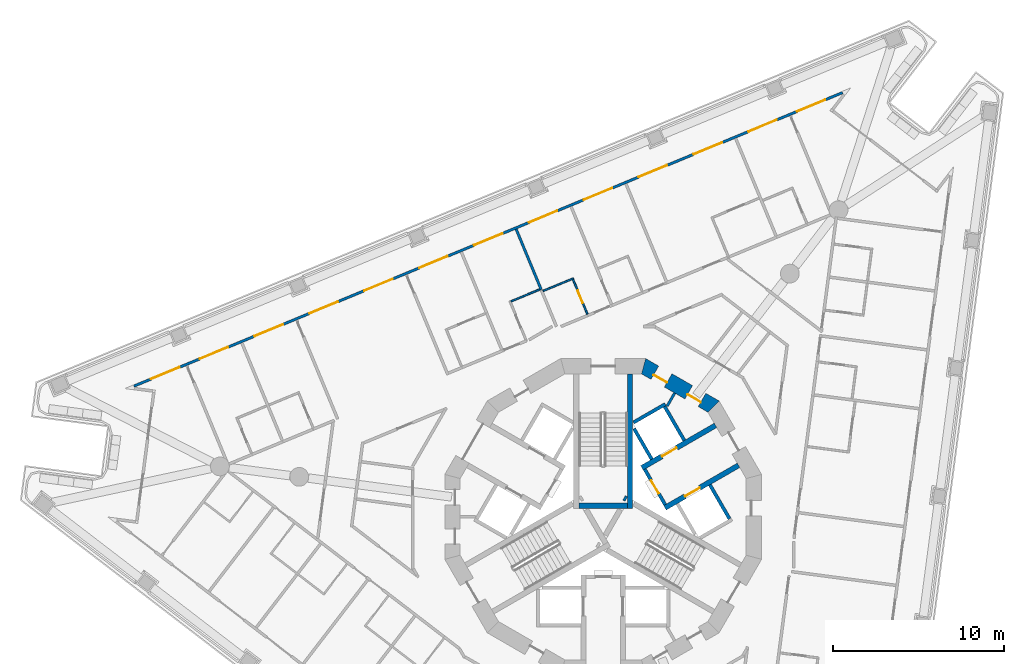
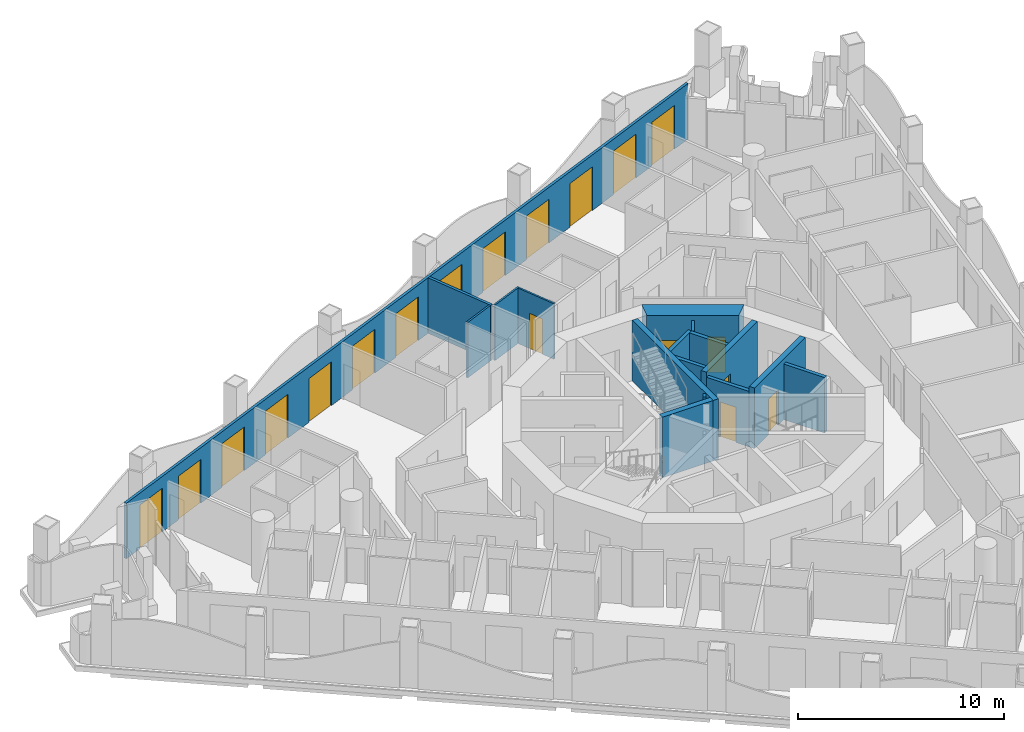
# One storey, part 8 of 18: 19 doors, 17 walls, 19 openings.
"""IFC4 building model written with IfcOpenShell, lengths in metres."""

from ifc_helpers import new_model, si_unit, direction, frame, frame_2d, origin, place, context, subcontext, project, spatial, polyline, rectangle, outline, extrude, material, layer, layer_set, type_object, element, fill, save


model = new_model("IFC4")

# Units and contexts
model_context = context("Model", 3, precision=1e-05, world=origin(), true_north=direction((0.0, 1.0)))
body_context = subcontext(model_context, "Body", "Model", "MODEL_VIEW")
ifc_project = project(units=[si_unit("LENGTHUNIT", "METRE"), si_unit("AREAUNIT", "SQUARE_METRE"), si_unit("VOLUMEUNIT", "CUBIC_METRE"), si_unit("PLANEANGLEUNIT", "RADIAN"), si_unit("MASSUNIT", "GRAM", prefix="KILO")], contexts=[model_context])

# Site, building, storey
site_placement = place(None, origin())
site = spatial("IfcSite", under=ifc_project, at=site_placement, CompositionType="ELEMENT")
building_placement = place(site_placement, origin())
building = spatial("IfcBuilding", under=site, at=building_placement, Name="Trine Commons Tower", CompositionType="ELEMENT")
storey_placement = place(building_placement, frame((0.0, 0.0, 142.199951171875)))
storey = spatial("IfcBuildingStorey", under=building, at=storey_placement, Name="L36", CompositionType="ELEMENT", Elevation=142.199951171875)

# Wall
ifc_material_1 = material(Name="Plasterboard partition on steel studs", Category="steel")
ifc_layer_1 = layer(ifc_material_1, 0.14990234375)
ifc_layer_set_1 = layer_set([ifc_layer_1], Name="Plasterboard partition on steel studs")
wall_type_1 = type_object("IfcWallType", Name="Core room partition 150 mm, EI 60", PredefinedType="PARTITIONING", material=ifc_layer_set_1)
wall_1_placement = place(storey_placement, frame((84.18603515625, 69.7509765625, 0.0), z_axis=(0.0, 0.0, 1.0), x_axis=(-0.499890179513, -0.866088799389, 0.0)))
element("IfcWall", 1, at=wall_1_placement, inside=storey, type_object=wall_type_1, Name="Core room partition L36", PredefinedType="PARTITIONING", context=body_context, shape_type="SweptSolid", body=[
    extrude(rectangle(XDim=0.882080078125, YDim=0.14990234375, at=frame_2d((0.44091796875, 0.0))), origin(), (0.0, 0.0, 1.0), 3.300048828125),
])

# Wall, openings, doors
ifc_material_2 = material(Name="Aluminium-framed insulated wall panel", Category="aluminium")
ifc_layer_2 = layer(ifc_material_2, 0.14990234375)
ifc_layer_set_2 = layer_set([ifc_layer_2], Name="Aluminium-framed insulated wall panel")
wall_type_2 = type_object("IfcWallType", Name="Glazed frame wall 150, EI 60", PredefinedType="SOLIDWALL", material=ifc_layer_set_2)
wall_2_placement = place(storey_placement, frame((52.38671875, 70.099609375, 0.0), z_axis=(0.0, 0.0, 1.0), x_axis=(0.92388051416, 0.382681062447, 0.0)))
wall_2 = element("IfcWall", 2, at=wall_2_placement, inside=storey, type_object=wall_type_2, Name="Glazed frame wall F1", PredefinedType="SOLIDWALL", context=body_context, shape_type="SweptSolid", body=[
    extrude(outline(polyline([(0.1494140625, 0.074951171875), (0.1494140625, -0.074951171875), (45.056884765625, -0.074951171875), (45.056884765625, 0.074951171875), (0.1494140625, 0.074951171875)])), origin(), (0.0, 0.0, 1.0), 3.300048828125),
])
opening_1_placement = place(wall_2_placement, frame((1.23876953125, 0.0, 0.0)))
opening_1 = element("IfcOpeningElement", 3, at=opening_1_placement, cuts=wall_2, Name="Opening BD-4F1-01", PredefinedType="OPENING", context=body_context, shape_type="SweptSolid", body=[
    extrude(rectangle(XDim=1.800048828125, YDim=2.60009765625, at=frame_2d((0.89990234375, 1.300048828125))), frame((0.0, 0.0849609375, 0.0), z_axis=(0.0, -1.0, 0.0), x_axis=(1.0, 0.0, 0.0)), (0.0, 0.0, 1.0), 0.169921875),
])
opening_2_placement = place(wall_2_placement, frame((4.316162109375, 0.0, 0.0)))
opening_2 = element("IfcOpeningElement", 4, at=opening_2_placement, cuts=wall_2, Name="Opening BD-4F1-02", PredefinedType="OPENING", context=body_context, shape_type="SweptSolid", body=[
    extrude(rectangle(XDim=1.800048828125, YDim=2.60009765625, at=frame_2d((0.89990234375, 1.300048828125))), frame((0.0, 0.0849609375, 0.0), z_axis=(0.0, -1.0, 0.0), x_axis=(1.0, 0.0, 0.0)), (0.0, 0.0, 1.0), 0.169921875),
])
opening_3_placement = place(wall_2_placement, frame((7.79345703125, 0.0, 0.0)))
opening_3 = element("IfcOpeningElement", 5, at=opening_3_placement, cuts=wall_2, Name="Opening BD-4F1-03", PredefinedType="OPENING", context=body_context, shape_type="SweptSolid", body=[
    extrude(rectangle(XDim=1.800048828125, YDim=2.60009765625, at=frame_2d((0.89990234375, 1.300048828125))), frame((0.0, 0.0849609375, 0.0), z_axis=(0.0, -1.0, 0.0), x_axis=(1.0, 0.0, 0.0)), (0.0, 0.0, 1.0), 0.169921875),
])
opening_4_placement = place(wall_2_placement, frame((11.27099609375, 0.0, 0.0)))
opening_4 = element("IfcOpeningElement", 6, at=opening_4_placement, cuts=wall_2, Name="Opening BD-4F1-04", PredefinedType="OPENING", context=body_context, shape_type="SweptSolid", body=[
    extrude(rectangle(XDim=1.800048828125, YDim=2.60009765625, at=frame_2d((0.89990234375, 1.300048828125))), frame((0.0, 0.0849609375, 0.0), z_axis=(0.0, -1.0, 0.0), x_axis=(1.0, 0.0, 0.0)), (0.0, 0.0, 1.0), 0.169921875),
])
opening_5_placement = place(wall_2_placement, frame((14.748291015625, 0.0, 0.0)))
opening_5 = element("IfcOpeningElement", 7, at=opening_5_placement, cuts=wall_2, Name="Opening BD-4F1-05", PredefinedType="OPENING", context=body_context, shape_type="SweptSolid", body=[
    extrude(rectangle(XDim=1.800048828125, YDim=2.60009765625, at=frame_2d((0.89990234375, 1.300048828125))), frame((0.0, 0.0849609375, 0.0), z_axis=(0.0, -1.0, 0.0), x_axis=(1.0, 0.0, 0.0)), (0.0, 0.0, 1.0), 0.169921875),
])
opening_6_placement = place(wall_2_placement, frame((18.2255859375, 0.0, 0.0)))
opening_6 = element("IfcOpeningElement", 8, at=opening_6_placement, cuts=wall_2, Name="Opening BD-4F1-06", PredefinedType="OPENING", context=body_context, shape_type="SweptSolid", body=[
    extrude(rectangle(XDim=1.800048828125, YDim=2.60009765625, at=frame_2d((0.89990234375, 1.300048828125))), frame((0.0, 0.0849609375, 0.0), z_axis=(0.0, -1.0, 0.0), x_axis=(1.0, 0.0, 0.0)), (0.0, 0.0, 1.0), 0.169921875),
])
opening_7_placement = place(wall_2_placement, frame((21.703125, 0.0, 0.0)))
opening_7 = element("IfcOpeningElement", 9, at=opening_7_placement, cuts=wall_2, Name="Opening BD-4F1-07", PredefinedType="OPENING", context=body_context, shape_type="SweptSolid", body=[
    extrude(rectangle(XDim=1.800048828125, YDim=2.60009765625, at=frame_2d((0.89990234375, 1.300048828125))), frame((0.0, 0.0849609375, 0.0), z_axis=(0.0, -1.0, 0.0), x_axis=(1.0, 0.0, 0.0)), (0.0, 0.0, 1.0), 0.169921875),
])
opening_8_placement = place(wall_2_placement, frame((25.180419921875, 0.0, 0.0)))
opening_8 = element("IfcOpeningElement", 10, at=opening_8_placement, cuts=wall_2, Name="Opening BD-4F1-08", PredefinedType="OPENING", context=body_context, shape_type="SweptSolid", body=[
    extrude(rectangle(XDim=1.800048828125, YDim=2.60009765625, at=frame_2d((0.89990234375, 1.300048828125))), frame((0.0, 0.0849609375, 0.0), z_axis=(0.0, -1.0, 0.0), x_axis=(1.0, 0.0, 0.0)), (0.0, 0.0, 1.0), 0.169921875),
])
opening_9_placement = place(wall_2_placement, frame((28.657958984375, 0.0, 0.0)))
opening_9 = element("IfcOpeningElement", 11, at=opening_9_placement, cuts=wall_2, Name="Opening BD-4F1-09", PredefinedType="OPENING", context=body_context, shape_type="SweptSolid", body=[
    extrude(rectangle(XDim=1.800048828125, YDim=2.60009765625, at=frame_2d((0.89990234375, 1.300048828125))), frame((0.0, 0.0849609375, 0.0), z_axis=(0.0, -1.0, 0.0), x_axis=(1.0, 0.0, 0.0)), (0.0, 0.0, 1.0), 0.169921875),
])
opening_10_placement = place(wall_2_placement, frame((32.13525390625, 0.0, 0.0)))
opening_10 = element("IfcOpeningElement", 12, at=opening_10_placement, cuts=wall_2, Name="Opening BD-4F1-10", PredefinedType="OPENING", context=body_context, shape_type="SweptSolid", body=[
    extrude(rectangle(XDim=1.800048828125, YDim=2.60009765625, at=frame_2d((0.89990234375, 1.300048828125))), frame((0.0, 0.0849609375, 0.0), z_axis=(0.0, -1.0, 0.0), x_axis=(1.0, 0.0, 0.0)), (0.0, 0.0, 1.0), 0.169921875),
])
opening_11_placement = place(wall_2_placement, frame((35.61279296875, 0.0, 0.0)))
opening_11 = element("IfcOpeningElement", 13, at=opening_11_placement, cuts=wall_2, Name="Opening BD-4F1-11", PredefinedType="OPENING", context=body_context, shape_type="SweptSolid", body=[
    extrude(rectangle(XDim=1.800048828125, YDim=2.60009765625, at=frame_2d((0.89990234375, 1.300048828125))), frame((0.0, 0.0849609375, 0.0), z_axis=(0.0, -1.0, 0.0), x_axis=(1.0, 0.0, 0.0)), (0.0, 0.0, 1.0), 0.169921875),
])
opening_12_placement = place(wall_2_placement, frame((39.090087890625, 0.0, 0.0)))
opening_12 = element("IfcOpeningElement", 14, at=opening_12_placement, cuts=wall_2, Name="Opening BD-4F1-12", PredefinedType="OPENING", context=body_context, shape_type="SweptSolid", body=[
    extrude(rectangle(XDim=1.800048828125, YDim=2.60009765625, at=frame_2d((0.89990234375, 1.300048828125))), frame((0.0, 0.0849609375, 0.0), z_axis=(0.0, -1.0, 0.0), x_axis=(1.0, 0.0, 0.0)), (0.0, 0.0, 1.0), 0.169921875),
])
opening_13_placement = place(wall_2_placement, frame((42.16748046875, 0.0, 0.0)))
opening_13 = element("IfcOpeningElement", 15, at=opening_13_placement, cuts=wall_2, Name="Opening BD-4F1-13", PredefinedType="OPENING", context=body_context, shape_type="SweptSolid", body=[
    extrude(rectangle(XDim=1.800048828125, YDim=2.60009765625, at=frame_2d((0.89990234375, 1.300048828125))), frame((0.0, 0.0849609375, 0.0), z_axis=(0.0, -1.0, 0.0), x_axis=(1.0, 0.0, 0.0)), (0.0, 0.0, 1.0), 0.169921875),
])
ifc_material_3 = material(Name="Anodised aluminium frame with double glazing", Category="aluminium")
door_type_1 = type_object("IfcDoorType", Name="Sliding loggia door 1800x2600", OperationType="SLIDING_TO_LEFT", PredefinedType="DOOR", material=ifc_material_3)
door_1_placement = place(opening_1_placement, origin())
door_1 = element("IfcDoor", 16, at=door_1_placement, inside=storey, type_object=door_type_1, Name="Loggia door F1 1", OperationType="SLIDING_TO_LEFT", OverallHeight=2.60009765625, OverallWidth=1.800048828125, PredefinedType="DOOR", context=body_context, shape_type="SweptSolid", body=[
    extrude(rectangle(XDim=1.800048828125, YDim=2.60009765625, at=frame_2d((0.89990234375, 1.300048828125))), frame((0.0, 0.02490234375, 0.0), z_axis=(0.0, -1.0, 0.0), x_axis=(1.0, 0.0, 0.0)), (0.0, 0.0, 1.0), 0.050048828125),
])
fill(opening_1, door_1)
door_2_placement = place(opening_2_placement, origin())
door_2 = element("IfcDoor", 17, at=door_2_placement, inside=storey, type_object=door_type_1, Name="Loggia door F1 2", OperationType="SLIDING_TO_LEFT", OverallHeight=2.60009765625, OverallWidth=1.800048828125, PredefinedType="DOOR", context=body_context, shape_type="SweptSolid", body=[
    extrude(rectangle(XDim=1.800048828125, YDim=2.60009765625, at=frame_2d((0.89990234375, 1.300048828125))), frame((0.0, 0.02490234375, 0.0), z_axis=(0.0, -1.0, 0.0), x_axis=(1.0, 0.0, 0.0)), (0.0, 0.0, 1.0), 0.050048828125),
])
fill(opening_2, door_2)
door_3_placement = place(opening_3_placement, origin())
door_3 = element("IfcDoor", 18, at=door_3_placement, inside=storey, type_object=door_type_1, Name="Loggia door F1 3", OperationType="SLIDING_TO_LEFT", OverallHeight=2.60009765625, OverallWidth=1.800048828125, PredefinedType="DOOR", context=body_context, shape_type="SweptSolid", body=[
    extrude(rectangle(XDim=1.800048828125, YDim=2.60009765625, at=frame_2d((0.89990234375, 1.300048828125))), frame((0.0, 0.02490234375, 0.0), z_axis=(0.0, -1.0, 0.0), x_axis=(1.0, 0.0, 0.0)), (0.0, 0.0, 1.0), 0.050048828125),
])
fill(opening_3, door_3)
door_4_placement = place(opening_4_placement, origin())
door_4 = element("IfcDoor", 19, at=door_4_placement, inside=storey, type_object=door_type_1, Name="Loggia door F1 4", OperationType="SLIDING_TO_LEFT", OverallHeight=2.60009765625, OverallWidth=1.800048828125, PredefinedType="DOOR", context=body_context, shape_type="SweptSolid", body=[
    extrude(rectangle(XDim=1.800048828125, YDim=2.60009765625, at=frame_2d((0.89990234375, 1.300048828125))), frame((0.0, 0.02490234375, 0.0), z_axis=(0.0, -1.0, 0.0), x_axis=(1.0, 0.0, 0.0)), (0.0, 0.0, 1.0), 0.050048828125),
])
fill(opening_4, door_4)
door_5_placement = place(opening_5_placement, origin())
door_5 = element("IfcDoor", 20, at=door_5_placement, inside=storey, type_object=door_type_1, Name="Loggia door F1 5", OperationType="SLIDING_TO_LEFT", OverallHeight=2.60009765625, OverallWidth=1.800048828125, PredefinedType="DOOR", context=body_context, shape_type="SweptSolid", body=[
    extrude(rectangle(XDim=1.800048828125, YDim=2.60009765625, at=frame_2d((0.89990234375, 1.300048828125))), frame((0.0, 0.02490234375, 0.0), z_axis=(0.0, -1.0, 0.0), x_axis=(1.0, 0.0, 0.0)), (0.0, 0.0, 1.0), 0.050048828125),
])
fill(opening_5, door_5)
door_6_placement = place(opening_6_placement, origin())
door_6 = element("IfcDoor", 21, at=door_6_placement, inside=storey, type_object=door_type_1, Name="Loggia door F1 6", OperationType="SLIDING_TO_LEFT", OverallHeight=2.60009765625, OverallWidth=1.800048828125, PredefinedType="DOOR", context=body_context, shape_type="SweptSolid", body=[
    extrude(rectangle(XDim=1.800048828125, YDim=2.60009765625, at=frame_2d((0.89990234375, 1.300048828125))), frame((0.0, 0.02490234375, 0.0), z_axis=(0.0, -1.0, 0.0), x_axis=(1.0, 0.0, 0.0)), (0.0, 0.0, 1.0), 0.050048828125),
])
fill(opening_6, door_6)
door_7_placement = place(opening_7_placement, origin())
door_7 = element("IfcDoor", 22, at=door_7_placement, inside=storey, type_object=door_type_1, Name="Loggia door F1 7", OperationType="SLIDING_TO_LEFT", OverallHeight=2.60009765625, OverallWidth=1.800048828125, PredefinedType="DOOR", context=body_context, shape_type="SweptSolid", body=[
    extrude(rectangle(XDim=1.800048828125, YDim=2.60009765625, at=frame_2d((0.89990234375, 1.300048828125))), frame((0.0, 0.02490234375, 0.0), z_axis=(0.0, -1.0, 0.0), x_axis=(1.0, 0.0, 0.0)), (0.0, 0.0, 1.0), 0.050048828125),
])
fill(opening_7, door_7)
door_8_placement = place(opening_8_placement, origin())
door_8 = element("IfcDoor", 23, at=door_8_placement, inside=storey, type_object=door_type_1, Name="Loggia door F1 8", OperationType="SLIDING_TO_LEFT", OverallHeight=2.60009765625, OverallWidth=1.800048828125, PredefinedType="DOOR", context=body_context, shape_type="SweptSolid", body=[
    extrude(rectangle(XDim=1.800048828125, YDim=2.60009765625, at=frame_2d((0.89990234375, 1.300048828125))), frame((0.0, 0.02490234375, 0.0), z_axis=(0.0, -1.0, 0.0), x_axis=(1.0, 0.0, 0.0)), (0.0, 0.0, 1.0), 0.050048828125),
])
fill(opening_8, door_8)
door_9_placement = place(opening_9_placement, origin())
door_9 = element("IfcDoor", 24, at=door_9_placement, inside=storey, type_object=door_type_1, Name="Loggia door F1 9", OperationType="SLIDING_TO_LEFT", OverallHeight=2.60009765625, OverallWidth=1.800048828125, PredefinedType="DOOR", context=body_context, shape_type="SweptSolid", body=[
    extrude(rectangle(XDim=1.800048828125, YDim=2.60009765625, at=frame_2d((0.89990234375, 1.300048828125))), frame((0.0, 0.02490234375, 0.0), z_axis=(0.0, -1.0, 0.0), x_axis=(1.0, 0.0, 0.0)), (0.0, 0.0, 1.0), 0.050048828125),
])
fill(opening_9, door_9)
door_10_placement = place(opening_10_placement, origin())
door_10 = element("IfcDoor", 25, at=door_10_placement, inside=storey, type_object=door_type_1, Name="Loggia door F1 10", OperationType="SLIDING_TO_LEFT", OverallHeight=2.60009765625, OverallWidth=1.800048828125, PredefinedType="DOOR", context=body_context, shape_type="SweptSolid", body=[
    extrude(rectangle(XDim=1.800048828125, YDim=2.60009765625, at=frame_2d((0.89990234375, 1.300048828125))), frame((0.0, 0.02490234375, 0.0), z_axis=(0.0, -1.0, 0.0), x_axis=(1.0, 0.0, 0.0)), (0.0, 0.0, 1.0), 0.050048828125),
])
fill(opening_10, door_10)
door_11_placement = place(opening_11_placement, origin())
door_11 = element("IfcDoor", 26, at=door_11_placement, inside=storey, type_object=door_type_1, Name="Loggia door F1 11", OperationType="SLIDING_TO_LEFT", OverallHeight=2.60009765625, OverallWidth=1.800048828125, PredefinedType="DOOR", context=body_context, shape_type="SweptSolid", body=[
    extrude(rectangle(XDim=1.800048828125, YDim=2.60009765625, at=frame_2d((0.89990234375, 1.300048828125))), frame((0.0, 0.02490234375, 0.0), z_axis=(0.0, -1.0, 0.0), x_axis=(1.0, 0.0, 0.0)), (0.0, 0.0, 1.0), 0.050048828125),
])
fill(opening_11, door_11)
door_12_placement = place(opening_12_placement, origin())
door_12 = element("IfcDoor", 27, at=door_12_placement, inside=storey, type_object=door_type_1, Name="Loggia door F1 12", OperationType="SLIDING_TO_LEFT", OverallHeight=2.60009765625, OverallWidth=1.800048828125, PredefinedType="DOOR", context=body_context, shape_type="SweptSolid", body=[
    extrude(rectangle(XDim=1.800048828125, YDim=2.60009765625, at=frame_2d((0.89990234375, 1.300048828125))), frame((0.0, 0.02490234375, 0.0), z_axis=(0.0, -1.0, 0.0), x_axis=(1.0, 0.0, 0.0)), (0.0, 0.0, 1.0), 0.050048828125),
])
fill(opening_12, door_12)
door_13_placement = place(opening_13_placement, origin())
door_13 = element("IfcDoor", 28, at=door_13_placement, inside=storey, type_object=door_type_1, Name="Loggia door F1 13", OperationType="SLIDING_TO_LEFT", OverallHeight=2.60009765625, OverallWidth=1.800048828125, PredefinedType="DOOR", context=body_context, shape_type="SweptSolid", body=[
    extrude(rectangle(XDim=1.800048828125, YDim=2.60009765625, at=frame_2d((0.89990234375, 1.300048828125))), frame((0.0, 0.02490234375, 0.0), z_axis=(0.0, -1.0, 0.0), x_axis=(1.0, 0.0, 0.0)), (0.0, 0.0, 1.0), 0.050048828125),
])
fill(opening_13, door_13)

# Wall, opening, door
ifc_material_4 = material(Name="Fire-rated gypsum shaft wall system")
ifc_layer_3 = layer(ifc_material_4, 0.199951171875)
ifc_layer_set_3 = layer_set([ifc_layer_3], Name="Fire-rated gypsum shaft wall system")
wall_type_3 = type_object("IfcWallType", Name="Lobby end wall 200 mm, EI 120", PredefinedType="PARTITIONING", material=ifc_layer_set_3)
wall_3_placement = place(storey_placement, frame((83.631103515625, 63.2109375, 0.0), z_axis=(0.0, 0.0, 1.0), x_axis=(-0.50012165622, 0.865955154139, 0.0)))
wall_3 = element("IfcWall", 29, at=wall_3_placement, inside=storey, type_object=wall_type_3, Name="Lobby end wall L36", PredefinedType="PARTITIONING", context=body_context, shape_type="SweptSolid", body=[
    extrude(rectangle(XDim=2.39990234375, YDim=0.199951171875, at=frame_2d((1.199951171875, 0.0))), origin(), (0.0, 0.0, 1.0), 3.300048828125),
])
opening_14_placement = place(wall_3_placement, frame((0.749755859375, 0.0, 0.0)))
opening_14 = element("IfcOpeningElement", 30, at=opening_14_placement, cuts=wall_3, Name="Opening K11.05", PredefinedType="OPENING", context=body_context, shape_type="SweptSolid", body=[
    extrude(rectangle(XDim=0.89990234375, YDim=2.10009765625, at=frame_2d((0.449951171875, 1.050048828125))), frame((0.0, 0.10986328125, 0.0), z_axis=(0.0, -1.0, 0.0), x_axis=(1.0, 0.0, 0.0)), (0.0, 0.0, 1.0), 0.219970703125),
])
ifc_material_5 = material(Name="Steel door leaf, fire-rated", Category="steel")
door_type_2 = type_object("IfcDoorType", Name="Riser access door, single leaf 900 x 2100, FD60", OperationType="SINGLE_SWING_LEFT", PredefinedType="DOOR", material=ifc_material_5)
door_14_placement = place(opening_14_placement, frame((0.89990234375, 0.0, 0.0), z_axis=(0.0, 0.0, 1.0), x_axis=(-1.0, 0.0, 0.0)))
door_14 = element("IfcDoor", 31, at=door_14_placement, inside=storey, type_object=door_type_2, Name="Riser door, Electrical riser L36", OperationType="SINGLE_SWING_LEFT", OverallHeight=2.10009765625, OverallWidth=0.89990234375, PredefinedType="DOOR", context=body_context, shape_type="SweptSolid", body=[
    extrude(rectangle(XDim=0.89990234375, YDim=2.10009765625, at=frame_2d((0.449951171875, 1.050048828125))), frame((0.0, 0.02490234375, 0.0), z_axis=(0.0, -1.0, 0.0), x_axis=(1.0, 0.0, 0.0)), (0.0, 0.0, 1.0), 0.050048828125),
])
fill(opening_14, door_14)

ifc_material_6 = material(Name="Concrete C70/85", Category="concrete")
ifc_layer_4 = layer(ifc_material_6, 0.300048828125)
ifc_layer_set_4 = layer_set([ifc_layer_4], Name="Concrete C70/85")
wall_type_4 = type_object("IfcWallType", Name="RC shear wall 300 mm, C70/85", PredefinedType="SHEAR", material=ifc_layer_set_4)
wall_4_placement = place(storey_placement, frame((82.26904296875, 65.368896484375, 0.0), z_axis=(0.0, 0.0, 1.0), x_axis=(0.865983655544, 0.500072303102, 0.0)))
wall_4 = element("IfcWall", 32, at=wall_4_placement, inside=storey, type_object=wall_type_4, Name="Core cross wall SWB-05 L36", PredefinedType="SHEAR", context=body_context, shape_type="SweptSolid", body=[
    extrude(rectangle(XDim=4.973388671875, YDim=0.300048828125, at=frame_2d((2.48681640625, 0.0))), origin(), (0.0, 0.0, 1.0), 3.60009765625),
])
opening_15_placement = place(wall_4_placement, frame((1.3505859375, 0.0, 0.0)))
opening_15 = element("IfcOpeningElement", 33, at=opening_15_placement, cuts=wall_4, Name="Opening LD5", PredefinedType="OPENING", context=body_context, shape_type="SweptSolid", body=[
    extrude(rectangle(XDim=1.0, YDim=2.10009765625, at=frame_2d((0.5, 1.050048828125))), frame((0.0, 0.159912109375, 0.0), z_axis=(0.0, -1.0, 0.0), x_axis=(1.0, 0.0, 0.0)), (0.0, 0.0, 1.0), 0.320068359375),
])
ifc_material_7 = material(Name="Stainless steel sliding door leaves", Category="steel")
door_type_3 = type_object("IfcDoorType", Name="Lift landing door, centre-opening sliding 1000 x 2100, FD90", OperationType="DOUBLE_DOOR_SLIDING", PredefinedType="DOOR", material=ifc_material_7)
door_15_placement = place(opening_15_placement, origin())
door_15 = element("IfcDoor", 34, at=door_15_placement, inside=storey, type_object=door_type_3, Name="Lift landing door HR1 L36", OperationType="DOUBLE_DOOR_SLIDING", OverallHeight=2.10009765625, OverallWidth=1.0, PredefinedType="DOOR", context=body_context, shape_type="SweptSolid", body=[
    extrude(rectangle(XDim=1.0, YDim=2.10009765625, at=frame_2d((0.5, 1.050048828125))), frame((0.0, 0.02490234375, 0.0), z_axis=(0.0, -1.0, 0.0), x_axis=(1.0, 0.0, 0.0)), (0.0, 0.0, 1.0), 0.050048828125),
])
fill(opening_15, door_15)

wall_5_placement = place(storey_placement, frame((83.618896484375, 63.031005859375, 0.0), z_axis=(0.0, 0.0, 1.0), x_axis=(0.866080953719, 0.499903772346, 0.0)))
wall_5 = element("IfcWall", 35, at=wall_5_placement, inside=storey, type_object=wall_type_4, Name="Core cross wall SWB-06 L36", PredefinedType="SHEAR", context=body_context, shape_type="SweptSolid", body=[
    extrude(rectangle(XDim=4.97314453125, YDim=0.300048828125, at=frame_2d((2.486572265625, 0.0))), origin(), (0.0, 0.0, 1.0), 3.60009765625),
])
opening_16_placement = place(wall_5_placement, frame((1.350341796875, 0.0, 0.0)))
opening_16 = element("IfcOpeningElement", 36, at=opening_16_placement, cuts=wall_5, Name="Opening LD6", PredefinedType="OPENING", context=body_context, shape_type="SweptSolid", body=[
    extrude(rectangle(XDim=1.0, YDim=2.10009765625, at=frame_2d((0.5, 1.050048828125))), frame((0.0, 0.159912109375, 0.0), z_axis=(0.0, -1.0, 0.0), x_axis=(1.0, 0.0, 0.0)), (0.0, 0.0, 1.0), 0.320068359375),
])
door_16_placement = place(opening_16_placement, origin())
door_16 = element("IfcDoor", 37, at=door_16_placement, inside=storey, type_object=door_type_3, Name="Lift landing door HR2 L36", OperationType="DOUBLE_DOOR_SLIDING", OverallHeight=2.10009765625, OverallWidth=1.0, PredefinedType="DOOR", context=body_context, shape_type="SweptSolid", body=[
    extrude(rectangle(XDim=1.0, YDim=2.10009765625, at=frame_2d((0.5, 1.050048828125))), frame((0.0, 0.02490234375, 0.0), z_axis=(0.0, -1.0, 0.0), x_axis=(1.0, 0.0, 0.0)), (0.0, 0.0, 1.0), 0.050048828125),
])
fill(opening_16, door_16)

# Walls
wall_6_placement = place(storey_placement, frame((81.220947265625, 63.614013671875, 0.0), z_axis=(0.0, 0.0, 1.0), x_axis=(0.867737973955, -0.497021939713, 0.0)))
element("IfcWall", 38, at=wall_6_placement, inside=storey, type_object=wall_type_4, Name="Core cross wall SWB-15 L36", PredefinedType="SHEAR", context=body_context, shape_type="SweptSolid", body=[
    extrude(rectangle(XDim=0.14892578125, YDim=0.300048828125, at=frame_2d((0.074462890625, 0.0))), origin(), (0.0, 0.0, 1.0), 3.60009765625),
])
wall_7_placement = place(storey_placement, frame((81.425048828125, 63.15087890625, 0.0), z_axis=(0.0, 0.0, 1.0), x_axis=(-1.0, 0.0, 0.0)))
element("IfcWall", 39, at=wall_7_placement, inside=storey, type_object=wall_type_4, Name="Core cross wall SWB-16 L36", PredefinedType="SHEAR", context=body_context, shape_type="SweptSolid", body=[
    extrude(rectangle(XDim=2.85009765625, YDim=0.300048828125, at=frame_2d((1.425048828125, 0.0))), origin(), (0.0, 0.0, 1.0), 3.60009765625),
])
wall_8_placement = place(storey_placement, frame((81.574951171875, 63.0009765625, 0.0), z_axis=(0.0, 0.0, 1.0), x_axis=(0.0, 1.0, 0.0)))
element("IfcWall", 40, at=wall_8_placement, inside=storey, type_object=wall_type_4, Name="Core cross wall SWB-17 L36", PredefinedType="SHEAR", context=body_context, shape_type="SweptSolid", body=[
    extrude(rectangle(XDim=7.8720703125, YDim=0.300048828125, at=frame_2d((3.93603515625, 0.0))), origin(), (0.0, 0.0, 1.0), 3.60009765625),
])

# Wall, openings, doors
ifc_layer_5 = layer(ifc_material_6, 0.89990234375)
ifc_layer_set_5 = layer_set([ifc_layer_5], Name="Concrete C70/85")
wall_type_5 = type_object("IfcWallType", Name="RC shear wall 900 mm, C70/85", PredefinedType="SHEAR", material=ifc_layer_set_5)
wall_9_placement = place(storey_placement, frame((86.563232421875, 68.8984375, 0.0), z_axis=(0.0, 0.0, 1.0), x_axis=(-0.866003133579, 0.500038571144, 0.0)))
wall_9 = element("IfcWall", 41, at=wall_9_placement, inside=storey, type_object=wall_type_5, Name="Core wall CWD-03 L36", PredefinedType="SHEAR", context=body_context, shape_type="SweptSolid", body=[
    extrude(outline(polyline([(0.0, -0.449951171875), (4.96923828125, -0.449951171875), (4.72802734375, 0.449951171875), (0.2412109375, 0.449951171875), (0.0, -0.449951171875)])), origin(), (0.0, 0.0, 1.0), 3.60009765625),
])
opening_17_placement = place(wall_9_placement, frame((0.89599609375, 0.0, 0.0)))
opening_17 = element("IfcOpeningElement", 42, at=opening_17_placement, cuts=wall_9, Name="Opening K11.11", PredefinedType="OPENING", context=body_context, shape_type="SweptSolid", body=[
    extrude(rectangle(XDim=0.89990234375, YDim=2.10009765625, at=frame_2d((0.449951171875, 1.050048828125))), frame((0.0, 0.4599609375, 0.0), z_axis=(0.0, -1.0, 0.0), x_axis=(1.0, 0.0, 0.0)), (0.0, 0.0, 1.0), 0.919921875),
])
opening_18_placement = place(wall_9_placement, frame((3.18505859375, 0.0, 0.0)))
opening_18 = element("IfcOpeningElement", 43, at=opening_18_placement, cuts=wall_9, Name="Opening K11.12", PredefinedType="OPENING", context=body_context, shape_type="SweptSolid", body=[
    extrude(rectangle(XDim=0.89990234375, YDim=2.10009765625, at=frame_2d((0.449951171875, 1.050048828125))), frame((0.0, 0.4599609375, 0.0), z_axis=(0.0, -1.0, 0.0), x_axis=(1.0, 0.0, 0.0)), (0.0, 0.0, 1.0), 0.919921875),
])
door_type_4 = type_object("IfcDoorType", Name="Core room door, single leaf 900 x 2100, FD30S", OperationType="SINGLE_SWING_LEFT", PredefinedType="DOOR", material=ifc_material_5)
door_17_placement = place(opening_17_placement, origin())
door_17 = element("IfcDoor", 44, at=door_17_placement, inside=storey, type_object=door_type_4, Name="Door to Pantry L36", OperationType="SINGLE_SWING_LEFT", OverallHeight=2.10009765625, OverallWidth=0.89990234375, PredefinedType="DOOR", context=body_context, shape_type="SweptSolid", body=[
    extrude(rectangle(XDim=0.89990234375, YDim=2.10009765625, at=frame_2d((0.449951171875, 1.050048828125))), frame((0.0, 0.1748046875, 0.0), z_axis=(0.0, -1.0, 0.0), x_axis=(1.0, 0.0, 0.0)), (0.0, 0.0, 1.0), 0.050048828125),
])
fill(opening_17, door_17)
door_18_placement = place(opening_18_placement, origin())
door_18 = element("IfcDoor", 45, at=door_18_placement, inside=storey, type_object=door_type_4, Name="Door to Comms room L36", OperationType="SINGLE_SWING_RIGHT", OverallHeight=2.10009765625, OverallWidth=0.89990234375, PredefinedType="DOOR", context=body_context, shape_type="SweptSolid", body=[
    extrude(rectangle(XDim=0.89990234375, YDim=2.10009765625, at=frame_2d((0.449951171875, 1.050048828125))), frame((0.0, 0.1748046875, 0.0), z_axis=(0.0, -1.0, 0.0), x_axis=(1.0, 0.0, 0.0)), (0.0, 0.0, 1.0), 0.050048828125),
])
fill(opening_18, door_18)

# Walls
ifc_layer_6 = layer(ifc_material_4, 0.199951171875)
ifc_layer_set_6 = layer_set([ifc_layer_6], Name="Fire-rated gypsum shaft wall system")
wall_type_6 = type_object("IfcWallType", Name="Shaft wall 200 mm, EI 120", PredefinedType="PARTITIONING", material=ifc_layer_set_6)
wall_10_placement = place(storey_placement, frame((81.77490234375, 68.028076171875, 0.0), z_axis=(0.0, 0.0, 1.0), x_axis=(0.866130725101, 0.499817533742, 0.0)))
element("IfcWall", 46, at=wall_10_placement, inside=storey, type_object=wall_type_6, Name="Shaft wall L36", PredefinedType="PARTITIONING", context=body_context, shape_type="SweptSolid", body=[
    extrude(rectangle(XDim=2.148681640625, YDim=0.199951171875, at=frame_2d((1.07421875, 0.0))), origin(), (0.0, 0.0, 1.0), 3.300048828125),
])
wall_11_placement = place(storey_placement, frame((82.843994140625, 65.8740234375, 0.0), z_axis=(0.0, 0.0, 1.0), x_axis=(-0.499865770674, 0.866102887253, 0.0)))
element("IfcWall", 47, at=wall_11_placement, inside=storey, type_object=wall_type_6, Name="Shaft wall L36", PredefinedType="PARTITIONING", context=body_context, shape_type="SweptSolid", body=[
    extrude(rectangle(XDim=2.064453125, YDim=0.199951171875, at=frame_2d((1.0322265625, 0.0))), origin(), (0.0, 0.0, 1.0), 3.300048828125),
])
for number, where, z_axis, x_axis, name in (
    (48, (84.7490234375, 66.97412109375, 0.0), (0.0, 0.0, 1.0), (-0.500136062276, 0.86594683394, 0.0), "Shaft wall L36"),
    (49, (86.2490234375, 64.3759765625, 0.0), (0.0, 0.0, 1.0), (0.500136062276, -0.86594683394, 0.0), "Shaft wall L36"),
):
    element("IfcWall", number, at=place(storey_placement, frame(where, z_axis=z_axis, x_axis=x_axis)), inside=storey, type_object=wall_type_6, Name=name, PredefinedType="PARTITIONING", context=body_context, shape_type="SweptSolid", body=[
        extrude(rectangle(XDim=2.299072265625, YDim=0.199951171875, at=frame_2d((1.1494140625, 0.0))), origin(), (0.0, 0.0, 1.0), 3.300048828125),
    ])
ifc_material_8 = material(Name="Gypsum plasterboard on steel stud", Category="steel")
ifc_layer_7 = layer(ifc_material_8, 0.14990234375)
ifc_layer_set_7 = layer_set([ifc_layer_7], Name="Gypsum plasterboard on steel stud")
wall_type_7 = type_object("IfcWallType", Name="Unit and corridor wall 150 mm, EI 60", PredefinedType="PARTITIONING", material=ifc_layer_set_7)
wall_12_placement = place(storey_placement, frame((74.904296875, 79.344970703125, 0.0), z_axis=(0.0, 0.0, 1.0), x_axis=(0.382748860911, -0.923852428406, 0.0)))
element("IfcWall", 50, at=wall_12_placement, inside=storey, type_object=wall_type_7, Name="Partition 059", PredefinedType="PARTITIONING", context=body_context, shape_type="SweptSolid", body=[
    extrude(rectangle(XDim=3.83740234375, YDim=0.14990234375, at=frame_2d((1.918701171875, 0.0))), origin(), (0.0, 0.0, 1.0), 3.300048828125),
])
ifc_layer_8 = layer(ifc_material_8, 0.10009765625)
ifc_layer_set_8 = layer_set([ifc_layer_8], Name="Gypsum plasterboard on steel stud")
wall_type_8 = type_object("IfcWallType", Name="Unit partition 100 mm, no rating", PredefinedType="PARTITIONING", material=ifc_layer_set_8)
wall_13_placement = place(storey_placement, frame((74.59912109375, 75.1181640625, 0.0), z_axis=(0.0, 0.0, 1.0), x_axis=(0.923677447173, 0.383170945641, 0.0)))
element("IfcWall", 51, at=wall_13_placement, inside=storey, type_object=wall_type_8, Name="Partition 058", PredefinedType="PARTITIONING", context=body_context, shape_type="SweptSolid", body=[
    extrude(rectangle(XDim=1.82470703125, YDim=0.10009765625, at=frame_2d((0.912353515625, 0.0))), origin(), (0.0, 0.0, 1.0), 3.300048828125),
])
wall_14_placement = place(storey_placement, frame((76.4833984375, 75.728759765625, 0.0), z_axis=(0.0, 0.0, 1.0), x_axis=(0.923967386518, 0.38247126513, 0.0)))
element("IfcWall", 52, at=wall_14_placement, inside=storey, type_object=wall_type_8, Name="Partition 064", PredefinedType="PARTITIONING", context=body_context, shape_type="SweptSolid", body=[
    extrude(rectangle(XDim=1.92529296875, YDim=0.10009765625, at=frame_2d((0.962646484375, 0.0))), origin(), (0.0, 0.0, 1.0), 3.300048828125),
])

# Wall, opening, door
wall_15_placement = place(storey_placement, frame((78.235107421875, 76.39990234375, 0.0), z_axis=(0.0, 0.0, 1.0), x_axis=(0.382776895774, -0.923840813161, 0.0)))
wall_15 = element("IfcWall", 53, at=wall_15_placement, inside=storey, type_object=wall_type_8, Name="Partition 068", PredefinedType="PARTITIONING", context=body_context, shape_type="SweptSolid", body=[
    extrude(rectangle(XDim=2.197998046875, YDim=0.10009765625, at=frame_2d((1.09912109375, 0.0))), origin(), (0.0, 0.0, 1.0), 3.300048828125),
])
opening_19_placement = place(wall_15_placement, frame((0.698974609375, 0.0, 0.0)))
opening_19 = element("IfcOpeningElement", 54, at=opening_19_placement, cuts=wall_15, Name="Opening D-4B40", PredefinedType="OPENING", context=body_context, shape_type="SweptSolid", body=[
    extrude(rectangle(XDim=0.800048828125, YDim=2.10009765625, at=frame_2d((0.39990234375, 1.050048828125))), frame((0.0, 0.06005859375, 0.0), z_axis=(0.0, -1.0, 0.0), x_axis=(1.0, 0.0, 0.0)), (0.0, 0.0, 1.0), 0.1201171875),
])
ifc_material_9 = material(Name="Painted timber", Category="wood")
door_type_5 = type_object("IfcDoorType", Name="Internal door 800 x 2100, NOT RATED", OperationType="NOTDEFINED", PredefinedType="DOOR", material=ifc_material_9)
door_19_placement = place(opening_19_placement, origin())
door_19 = element("IfcDoor", 55, at=door_19_placement, inside=storey, type_object=door_type_5, Name="Door D-4B40", OperationType="SINGLE_SWING_RIGHT", OverallHeight=2.10009765625, OverallWidth=0.800048828125, PredefinedType="DOOR", context=body_context, shape_type="SweptSolid", body=[
    extrude(rectangle(XDim=0.800048828125, YDim=2.10009765625, at=frame_2d((0.39990234375, 1.050048828125))), frame((0.0, 0.02490234375, 0.0), z_axis=(0.0, -1.0, 0.0), x_axis=(1.0, 0.0, 0.0)), (0.0, 0.0, 1.0), 0.050048828125),
])
fill(opening_19, door_19)

save(model, "model.ifc")
